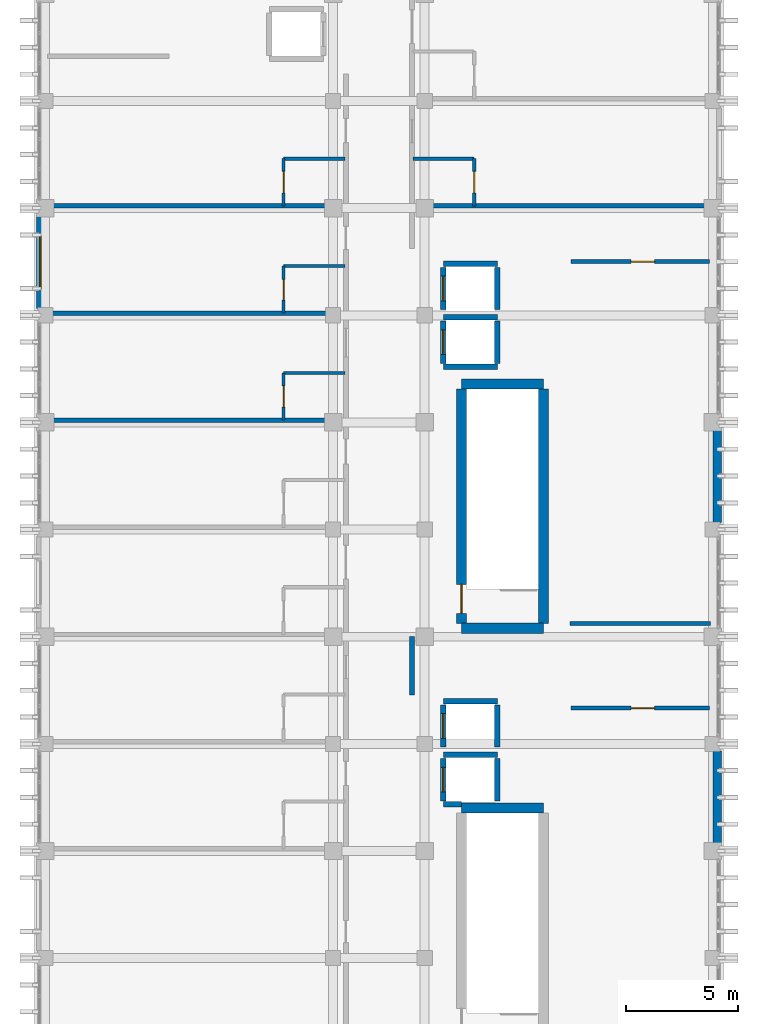
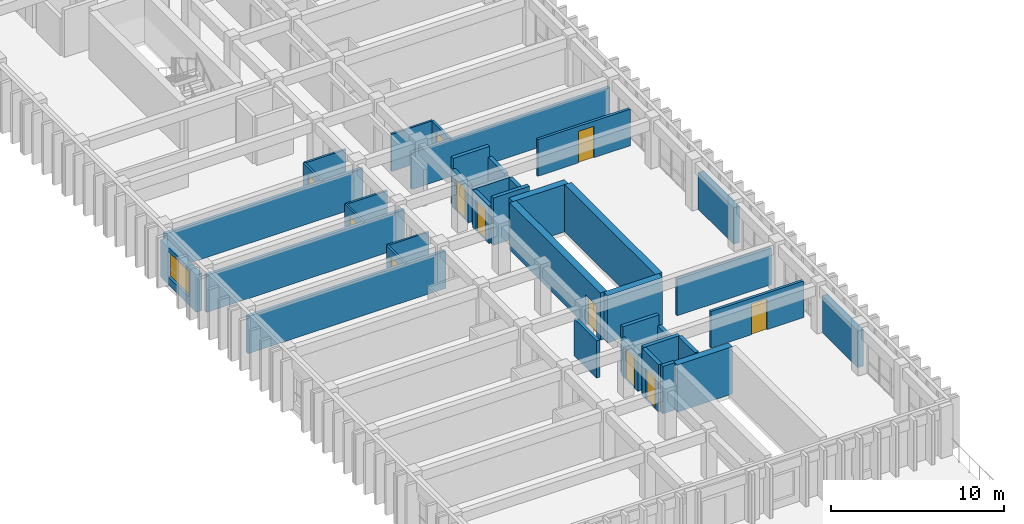
# One storey, part 56 of 68: 38 walls, 11 doors, 1 window, 12 openings.
"""IFC4 building model written with IfcOpenShell, lengths in metres."""

from ifc_helpers import new_model, si_unit, direction, frame, frame_2d, origin, place, context, subcontext, project, spatial, rectangle, extrude, material, layer, layer_set, type_object, element, fill, save


model = new_model("IFC4")

# Units and contexts
model_context = context("Model", 3, precision=1e-05, world=origin(), true_north=direction((0.0, 1.0)))
body_context = subcontext(model_context, "Body", "Model", "MODEL_VIEW")
ifc_project = project(units=[si_unit("LENGTHUNIT", "METRE"), si_unit("AREAUNIT", "SQUARE_METRE"), si_unit("VOLUMEUNIT", "CUBIC_METRE"), si_unit("PLANEANGLEUNIT", "RADIAN"), si_unit("MASSUNIT", "GRAM", prefix="KILO")], contexts=[model_context])

# Site, building, storey
site_placement = place(None, origin())
site = spatial("IfcSite", under=ifc_project, at=site_placement, CompositionType="ELEMENT")
building_placement = place(site_placement, origin())
building = spatial("IfcBuilding", under=site, at=building_placement, Name="Nakhvara Creek Congress Hotel", CompositionType="ELEMENT")
storey_placement = place(building_placement, frame((0.0, 0.0, 24.60009765625)))
storey = spatial("IfcBuildingStorey", under=building, at=storey_placement, Name="L05", CompositionType="ELEMENT", Elevation=24.60009765625)

# Walls
ifc_material_1 = material(Name="Concrete C50/60", Category="concrete")
ifc_layer_1 = layer(ifc_material_1, 0.449951171875)
ifc_layer_set_1 = layer_set([ifc_layer_1], Name="Concrete C50/60")
wall_type_1 = type_object("IfcWallType", Name="W-CORE-450", PredefinedType="SHEAR", material=ifc_layer_set_1)
for number, where, z_axis, x_axis, name in (
    (1, (168.10009765625, 40.320068359375, 0.0), (0.0, 0.0, 1.0), (1.0, 0.0, 0.0), "Core Shear Wall WS02-CWALL-L05-0611"),
    (2, (168.10009765625, 48.3798828125, 0.0), (0.0, 0.0, 1.0), (1.0, 0.0, 0.0), "Core Shear Wall WS02-CWALL-L05-0698"),
    (3, (168.10009765625, 59.320068359375, 0.0), (0.0, 0.0, 1.0), (1.0, 0.0, 0.0), "Core Shear Wall WS02-CWALL-L05-0699"),
):
    element("IfcWall", number, at=place(storey_placement, frame(where, z_axis=z_axis, x_axis=x_axis)), inside=storey, type_object=wall_type_1, Name=name, PredefinedType="SHEAR", context=body_context, shape_type="SweptSolid", body=[
        extrude(rectangle(XDim=3.669921875, YDim=0.449951171875, at=frame_2d((1.8349609375, 0.0))), origin(), (0.0, 0.0, 1.0), 3.33984375),
    ])

# Wall, opening, door
wall_1_placement = place(storey_placement, frame((168.10009765625, 48.60009765625, 0.0), z_axis=(0.0, 0.0, 1.0), x_axis=(0.0, 1.0, 0.0)))
wall_1 = element("IfcWall", 4, at=wall_1_placement, inside=storey, type_object=wall_type_1, Name="Core Shear Wall WS02-CWALL-L05-0700", PredefinedType="SHEAR", context=body_context, shape_type="SweptSolid", body=[
    extrude(rectangle(XDim=10.5, YDim=0.449951171875, at=frame_2d((5.25, 0.0))), origin(), (0.0, 0.0, 1.0), 3.33984375),
])
opening_1_placement = place(wall_1_placement, frame((0.449951171875, 0.0, 0.0)))
opening_1 = element("IfcOpeningElement", 5, at=opening_1_placement, cuts=wall_1, Name="Opening FD04", PredefinedType="OPENING", context=body_context, shape_type="SweptSolid", body=[
    extrude(rectangle(XDim=1.300048828125, YDim=2.14990234375, at=frame_2d((0.64990234375, 1.074951171875))), frame((0.0, 0.23681640625, 0.0), z_axis=(0.0, -1.0, 0.0), x_axis=(1.0, 0.0, 0.0)), (0.0, 0.0, 1.0), 0.473876953125),
])
ifc_material_2 = material(Name="Powder-coated steel fire door", Category="steel")
door_type_1 = type_object("IfcDoorType", Name="DT-STAIR-130", OperationType="NOTDEFINED", PredefinedType="DOOR", material=ifc_material_2)
door_1_placement = place(opening_1_placement, origin())
door_1 = element("IfcDoor", 6, at=door_1_placement, inside=storey, type_object=door_type_1, Name="Stair Exit Door ST04-L05", OperationType="SINGLE_SWING_RIGHT", OverallHeight=2.14990234375, OverallWidth=1.300048828125, PredefinedType="DOOR", context=body_context, shape_type="SweptSolid", body=[
    extrude(rectangle(XDim=1.300048828125, YDim=2.14990234375, at=frame_2d((0.64990234375, 1.074951171875))), frame((0.0, 0.02490234375, 0.0), z_axis=(0.0, -1.0, 0.0), x_axis=(1.0, 0.0, 0.0)), (0.0, 0.0, 1.0), 0.050048828125),
])
fill(opening_1, door_1)

# Walls
wall_2_placement = place(storey_placement, frame((171.77001953125, 48.60009765625, 0.0), z_axis=(0.0, 0.0, 1.0), x_axis=(0.0, 1.0, 0.0)))
element("IfcWall", 7, at=wall_2_placement, inside=storey, type_object=wall_type_1, Name="Core Shear Wall WS02-CWALL-L05-0701", PredefinedType="SHEAR", context=body_context, shape_type="SweptSolid", body=[
    extrude(rectangle(XDim=10.5, YDim=0.449951171875, at=frame_2d((5.25, 0.0))), origin(), (0.0, 0.0, 1.0), 3.33984375),
])
ifc_material_3 = material(Name="Gypsum acoustic board on steel stud", Category="steel")
ifc_layer_2 = layer(ifc_material_3, 0.219970703125)
ifc_layer_set_2 = layer_set([ifc_layer_2], Name="Gypsum acoustic board on steel stud")
wall_type_2 = type_object("IfcWallType", Name="W-CORR-220", PredefinedType="PARTITIONING", material=ifc_layer_set_2)
wall_3_placement = place(storey_placement, frame((165.8798828125, 45.39990234375, 0.0), z_axis=(0.0, 0.0, 1.0), x_axis=(0.0, 1.0, 0.0)))
element("IfcWall", 8, at=wall_3_placement, inside=storey, type_object=wall_type_2, Name="Interior Wall WP11-IW-L05-0370", PredefinedType="PARTITIONING", context=body_context, shape_type="SweptSolid", body=[
    extrude(rectangle(XDim=2.60009765625, YDim=0.219970703125, at=frame_2d((1.300048828125, 0.0))), origin(), (0.0, 0.0, 1.0), 2.6318359375),
])

# Wall, opening, door
ifc_material_4 = material(Name="Moisture-resistant gypsum board partition")
ifc_layer_3 = layer(ifc_material_4, 0.139892578125)
ifc_layer_set_3 = layer_set([ifc_layer_3], Name="Moisture-resistant gypsum board partition")
wall_type_3 = type_object("IfcWallType", Name="W-ENS-140", PredefinedType="PARTITIONING", material=ifc_layer_set_3)
wall_4_placement = place(storey_placement, frame((160.1298828125, 57.699951171875, 0.0), z_axis=(0.0, 0.0, 1.0), x_axis=(0.0, 1.0, 0.0)))
wall_4 = element("IfcWall", 9, at=wall_4_placement, inside=storey, type_object=wall_type_3, Name="Interior Wall WP15-IW-L05-0395", PredefinedType="PARTITIONING", context=body_context, shape_type="SweptSolid", body=[
    extrude(rectangle(XDim=2.115966796875, YDim=0.139892578125, at=frame_2d((1.05810546875, 0.0))), origin(), (0.0, 0.0, 1.0), 2.6318359375),
])
opening_2_placement = place(wall_4_placement, frame((0.5830078125, 0.0, 0.0)))
opening_2 = element("IfcOpeningElement", 10, at=opening_2_placement, cuts=wall_4, Name="Opening ID02", PredefinedType="OPENING", context=body_context, shape_type="SweptSolid", body=[
    extrude(rectangle(XDim=0.9599609375, YDim=2.1201171875, at=frame_2d((0.47998046875, 1.06005859375))), frame((0.0, 0.08203125, 0.0), z_axis=(0.0, -1.0, 0.0), x_axis=(1.0, 0.0, 0.0)), (0.0, 0.0, 1.0), 0.163818359375),
])
ifc_material_5 = material(Name="Moisture-resistant walnut timber door", Category="wood")
door_type_2 = type_object("IfcDoorType", Name="DT-ENS-096", OperationType="NOTDEFINED", PredefinedType="DOOR", material=ifc_material_5)
door_2_placement = place(opening_2_placement, origin())
door_2 = element("IfcDoor", 11, at=door_2_placement, inside=storey, type_object=door_type_2, Name="Interior Door ID02-0317", OperationType="SINGLE_SWING_RIGHT", OverallHeight=2.1201171875, OverallWidth=0.9599609375, PredefinedType="DOOR", context=body_context, shape_type="SweptSolid", body=[
    extrude(rectangle(XDim=0.9599609375, YDim=2.1201171875, at=frame_2d((0.47998046875, 1.06005859375))), frame((0.0, 0.02490234375, 0.0), z_axis=(0.0, -1.0, 0.0), x_axis=(1.0, 0.0, 0.0)), (0.0, 0.0, 1.0), 0.050048828125),
])
fill(opening_2, door_2)

# Wall
wall_5_placement = place(storey_placement, frame((160.1298828125, 59.81591796875, 0.0), z_axis=(0.0, 0.0, 1.0), x_axis=(1.0, 0.0, 0.0)))
element("IfcWall", 12, at=wall_5_placement, inside=storey, type_object=wall_type_3, Name="Interior Wall WP15-IW-L05-0396", PredefinedType="PARTITIONING", context=body_context, shape_type="SweptSolid", body=[
    extrude(rectangle(XDim=2.75, YDim=0.139892578125, at=frame_2d((1.375, 0.0))), origin(), (0.0, 0.0, 1.0), 2.6318359375),
])

# Wall, opening, door
wall_6_placement = place(storey_placement, frame((160.1298828125, 62.5, 0.0), z_axis=(0.0, 0.0, 1.0), x_axis=(0.0, 1.0, 0.0)))
wall_6 = element("IfcWall", 13, at=wall_6_placement, inside=storey, type_object=wall_type_3, Name="Interior Wall WP15-IW-L05-0398", PredefinedType="PARTITIONING", context=body_context, shape_type="SweptSolid", body=[
    extrude(rectangle(XDim=2.115966796875, YDim=0.139892578125, at=frame_2d((1.05810546875, 0.0))), origin(), (0.0, 0.0, 1.0), 2.6318359375),
])
opening_3_placement = place(wall_6_placement, frame((0.5830078125, 0.0, 0.0)))
opening_3 = element("IfcOpeningElement", 14, at=opening_3_placement, cuts=wall_6, Name="Opening ID01", PredefinedType="OPENING", context=body_context, shape_type="SweptSolid", body=[
    extrude(rectangle(XDim=0.919921875, YDim=2.10009765625, at=frame_2d((0.4599609375, 1.050048828125))), frame((0.0, 0.08203125, 0.0), z_axis=(0.0, -1.0, 0.0), x_axis=(1.0, 0.0, 0.0)), (0.0, 0.0, 1.0), 0.163818359375),
])
door_type_3 = type_object("IfcDoorType", Name="DT-ENS-092", OperationType="NOTDEFINED", PredefinedType="DOOR", material=ifc_material_5)
door_3_placement = place(opening_3_placement, origin())
door_3 = element("IfcDoor", 15, at=door_3_placement, inside=storey, type_object=door_type_3, Name="Interior Door ID01-0319", OperationType="SINGLE_SWING_RIGHT", OverallHeight=2.10009765625, OverallWidth=0.919921875, PredefinedType="DOOR", context=body_context, shape_type="SweptSolid", body=[
    extrude(rectangle(XDim=0.919921875, YDim=2.10009765625, at=frame_2d((0.4599609375, 1.050048828125))), frame((0.0, 0.02490234375, 0.0), z_axis=(0.0, -1.0, 0.0), x_axis=(1.0, 0.0, 0.0)), (0.0, 0.0, 1.0), 0.050048828125),
])
fill(opening_3, door_3)

# Wall
wall_7_placement = place(storey_placement, frame((160.1298828125, 64.615966796875, 0.0), z_axis=(0.0, 0.0, 1.0), x_axis=(1.0, 0.0, 0.0)))
element("IfcWall", 16, at=wall_7_placement, inside=storey, type_object=wall_type_3, Name="Interior Wall WP15-IW-L05-0399", PredefinedType="PARTITIONING", context=body_context, shape_type="SweptSolid", body=[
    extrude(rectangle(XDim=2.75, YDim=0.139892578125, at=frame_2d((1.375, 0.0))), origin(), (0.0, 0.0, 1.0), 2.6318359375),
])

# Wall, opening, door
wall_8_placement = place(storey_placement, frame((160.1298828125, 67.300048828125, 0.0), z_axis=(0.0, 0.0, 1.0), x_axis=(0.0, 1.0, 0.0)))
wall_8 = element("IfcWall", 17, at=wall_8_placement, inside=storey, type_object=wall_type_3, Name="Interior Wall WP15-IW-L05-0401", PredefinedType="PARTITIONING", context=body_context, shape_type="SweptSolid", body=[
    extrude(rectangle(XDim=2.115966796875, YDim=0.139892578125, at=frame_2d((1.05810546875, 0.0))), origin(), (0.0, 0.0, 1.0), 2.6318359375),
])
opening_4_placement = place(wall_8_placement, frame((0.5830078125, 0.0, 0.0)))
opening_4 = element("IfcOpeningElement", 18, at=opening_4_placement, cuts=wall_8, Name="Opening ID02", PredefinedType="OPENING", context=body_context, shape_type="SweptSolid", body=[
    extrude(rectangle(XDim=0.9599609375, YDim=2.1201171875, at=frame_2d((0.47998046875, 1.06005859375))), frame((0.0, 0.08203125, 0.0), z_axis=(0.0, -1.0, 0.0), x_axis=(1.0, 0.0, 0.0)), (0.0, 0.0, 1.0), 0.163818359375),
])
door_4_placement = place(opening_4_placement, origin())
door_4 = element("IfcDoor", 19, at=door_4_placement, inside=storey, type_object=door_type_2, Name="Interior Door ID02-0321", OperationType="SINGLE_SWING_RIGHT", OverallHeight=2.1201171875, OverallWidth=0.9599609375, PredefinedType="DOOR", context=body_context, shape_type="SweptSolid", body=[
    extrude(rectangle(XDim=0.9599609375, YDim=2.1201171875, at=frame_2d((0.47998046875, 1.06005859375))), frame((0.0, 0.02490234375, 0.0), z_axis=(0.0, -1.0, 0.0), x_axis=(1.0, 0.0, 0.0)), (0.0, 0.0, 1.0), 0.050048828125),
])
fill(opening_4, door_4)

# Wall
wall_9_placement = place(storey_placement, frame((160.1298828125, 69.416015625, 0.0), z_axis=(0.0, 0.0, 1.0), x_axis=(1.0, 0.0, 0.0)))
element("IfcWall", 20, at=wall_9_placement, inside=storey, type_object=wall_type_3, Name="Interior Wall WP15-IW-L05-0402", PredefinedType="PARTITIONING", context=body_context, shape_type="SweptSolid", body=[
    extrude(rectangle(XDim=2.75, YDim=0.139892578125, at=frame_2d((1.375, 0.0))), origin(), (0.0, 0.0, 1.0), 2.6318359375),
])

# Wall, opening, door
wall_10_placement = place(storey_placement, frame((168.669921875, 67.300048828125, 0.0), z_axis=(0.0, 0.0, 1.0), x_axis=(0.0, 1.0, 0.0)))
wall_10 = element("IfcWall", 21, at=wall_10_placement, inside=storey, type_object=wall_type_3, Name="Interior Wall WP15-IW-L05-0404", PredefinedType="PARTITIONING", context=body_context, shape_type="SweptSolid", body=[
    extrude(rectangle(XDim=2.115966796875, YDim=0.139892578125, at=frame_2d((1.05810546875, 0.0))), origin(), (0.0, 0.0, 1.0), 2.6318359375),
])
opening_5_placement = place(wall_10_placement, frame((0.5830078125, 0.0, 0.0)))
opening_5 = element("IfcOpeningElement", 22, at=opening_5_placement, cuts=wall_10, Name="Opening ID02", PredefinedType="OPENING", context=body_context, shape_type="SweptSolid", body=[
    extrude(rectangle(XDim=0.9599609375, YDim=2.1201171875, at=frame_2d((0.47998046875, 1.06005859375))), frame((0.0, 0.08203125, 0.0), z_axis=(0.0, -1.0, 0.0), x_axis=(1.0, 0.0, 0.0)), (0.0, 0.0, 1.0), 0.163818359375),
])
door_5_placement = place(opening_5_placement, frame((0.9599609375, 0.0, 0.0), z_axis=(0.0, 0.0, 1.0), x_axis=(-1.0, 0.0, 0.0)))
door_5 = element("IfcDoor", 23, at=door_5_placement, inside=storey, type_object=door_type_2, Name="Interior Door ID02-0323", OperationType="SINGLE_SWING_RIGHT", OverallHeight=2.1201171875, OverallWidth=0.9599609375, PredefinedType="DOOR", context=body_context, shape_type="SweptSolid", body=[
    extrude(rectangle(XDim=0.9599609375, YDim=2.1201171875, at=frame_2d((0.47998046875, 1.06005859375))), frame((0.0, 0.02490234375, 0.0), z_axis=(0.0, -1.0, 0.0), x_axis=(1.0, 0.0, 0.0)), (0.0, 0.0, 1.0), 0.050048828125),
])
fill(opening_5, door_5)

# Walls
wall_11_placement = place(storey_placement, frame((165.919921875, 69.416015625, 0.0), z_axis=(0.0, 0.0, 1.0), x_axis=(1.0, 0.0, 0.0)))
element("IfcWall", 24, at=wall_11_placement, inside=storey, type_object=wall_type_3, Name="Interior Wall WP15-IW-L05-0405", PredefinedType="PARTITIONING", context=body_context, shape_type="SweptSolid", body=[
    extrude(rectangle(XDim=2.75, YDim=0.139892578125, at=frame_2d((1.375, 0.0))), origin(), (0.0, 0.0, 1.0), 2.6318359375),
])
ifc_material_6 = material(Name="Honed pale Omani limestone cladding", Category="masonry")
ifc_layer_4 = layer(ifc_material_6, 0.050048828125)
ifc_material_7 = material(Name="Mineral wool thermal insulation")
ifc_layer_5 = layer(ifc_material_7, 0.110107421875)
ifc_material_8 = material(Name="Precast concrete C40/50", Category="concrete")
ifc_layer_6 = layer(ifc_material_8, 0.219970703125)
ifc_layer_set_4 = layer_set([ifc_layer_4, ifc_layer_5, ifc_layer_6], Name="Precast concrete C40/50")
wall_type_4 = type_object("IfcWallType", Name="W-EXT-380", PredefinedType="SOLIDWALL", material=ifc_layer_set_4)
for number, where, z_axis, x_axis, name in (
    (25, (179.56005859375, 42.885009765625, 0.0), (0.0, 0.0, 1.0), (0.0, -1.0, 0.0), "Exterior Wall WE03-EW-L05-0150"),
    (26, (179.56005859375, 57.235107421875, 0.0), (0.0, 0.0, 1.0), (0.0, -1.0, 0.0), "Exterior Wall WE03-EW-L05-0152"),
):
    element("IfcWall", number, at=place(storey_placement, frame(where, z_axis=z_axis, x_axis=x_axis)), inside=storey, type_object=wall_type_4, Name=name, PredefinedType="SOLIDWALL", context=body_context, shape_type="SweptSolid", body=[
        extrude(rectangle(XDim=4.1201171875, YDim=0.3798828125, at=frame_2d((2.06005859375, 0.0))), origin(), (0.0, 0.0, 1.0), 2.581787109375),
    ])

# Wall, opening, window
wall_12_placement = place(storey_placement, frame((149.239990234375, 62.715087890625, 0.0), z_axis=(0.0, 0.0, 1.0), x_axis=(0.0, 1.0, 0.0)))
wall_12 = element("IfcWall", 27, at=wall_12_placement, inside=storey, type_object=wall_type_4, Name="Exterior Wall WE03-EW-L05-0153", PredefinedType="SOLIDWALL", context=body_context, shape_type="SweptSolid", body=[
    extrude(rectangle(XDim=4.119873046875, YDim=0.3798828125, at=frame_2d((2.06005859375, 0.0))), origin(), (0.0, 0.0, 1.0), 2.6318359375),
])
opening_6_placement = place(wall_12_placement, frame((0.860107421875, 0.0, 0.550048828125)))
opening_6 = element("IfcOpeningElement", 28, at=opening_6_placement, cuts=wall_12, Name="Opening WN0165", PredefinedType="OPENING", context=body_context, shape_type="SweptSolid", body=[
    extrude(rectangle(XDim=2.39990234375, YDim=1.800048828125, at=frame_2d((1.199951171875, 0.89990234375))), frame((0.0, 0.201904296875, 0.0), z_axis=(0.0, -1.0, 0.0), x_axis=(1.0, 0.0, 0.0)), (0.0, 0.0, 1.0), 0.40380859375),
])
ifc_material_9 = material(Name="Thermally broken bronze-anodised aluminium and double-silver low-E insulated glass", Category="aluminium")
window_type = type_object("IfcWindowType", Name="WN-LAN-240X240", PartitioningType="SINGLE_PANEL", PredefinedType="WINDOW", material=ifc_material_9)
window_placement = place(opening_6_placement, origin())
window = element("IfcWindow", 29, at=window_placement, inside=storey, type_object=window_type, Name="Facade Window WN0165", OverallHeight=1.800048828125, OverallWidth=2.39990234375, PartitioningType="SINGLE_PANEL", PredefinedType="WINDOW", context=body_context, shape_type="SweptSolid", body=[
    extrude(rectangle(XDim=2.39990234375, YDim=1.800048828125, at=frame_2d((1.199951171875, 0.89990234375))), frame((0.0, 0.030029296875, 0.0), z_axis=(0.0, -1.0, 0.0), x_axis=(1.0, 0.0, 0.0)), (0.0, 0.0, 1.0), 0.06005859375),
])
fill(opening_6, window)

# Wall, opening, door
ifc_layer_7 = layer(ifc_material_3, 0.179931640625)
ifc_layer_set_5 = layer_set([ifc_layer_7], Name="Gypsum acoustic board on steel stud")
wall_type_5 = type_object("IfcWallType", Name="W-MEET-180", PredefinedType="PARTITIONING", material=ifc_layer_set_5)
wall_13_placement = place(storey_placement, frame((173.0, 44.800048828125, 0.0), z_axis=(0.0, 0.0, 1.0), x_axis=(1.0, 0.0, 0.0)))
wall_13 = element("IfcWall", 30, at=wall_13_placement, inside=storey, type_object=wall_type_5, Name="Interior Wall WP13-IW-L05-0379", PredefinedType="PARTITIONING", context=body_context, shape_type="SweptSolid", body=[
    extrude(rectangle(XDim=6.199951171875, YDim=0.179931640625, at=frame_2d((3.10009765625, 0.0))), origin(), (0.0, 0.0, 1.0), 2.581787109375),
])
opening_7_placement = place(wall_13_placement, frame((2.699951171875, 0.0, 0.0)))
opening_7 = element("IfcOpeningElement", 31, at=opening_7_placement, cuts=wall_13, Name="Opening ID04", PredefinedType="OPENING", context=body_context, shape_type="SweptSolid", body=[
    extrude(rectangle(XDim=1.050048828125, YDim=2.179931640625, at=frame_2d((0.52490234375, 1.08984375))), frame((0.0, 0.10205078125, 0.0), z_axis=(0.0, -1.0, 0.0), x_axis=(1.0, 0.0, 0.0)), (0.0, 0.0, 1.0), 0.203857421875),
])
ifc_material_10 = material(Name="Teak timber & frosted glass spa door", Category="wood")
door_type_4 = type_object("IfcDoorType", Name="DT-SPA-105", OperationType="NOTDEFINED", PredefinedType="DOOR", material=ifc_material_10)
door_6_placement = place(opening_7_placement, origin())
door_6 = element("IfcDoor", 32, at=door_6_placement, inside=storey, type_object=door_type_4, Name="Interior Door ID04-0306", OperationType="SINGLE_SWING_LEFT", OverallHeight=2.179931640625, OverallWidth=1.050048828125, PredefinedType="DOOR", context=body_context, shape_type="SweptSolid", body=[
    extrude(rectangle(XDim=1.050048828125, YDim=2.179931640625, at=frame_2d((0.52490234375, 1.08984375))), frame((0.0, 0.02490234375, 0.0), z_axis=(0.0, -1.0, 0.0), x_axis=(1.0, 0.0, 0.0)), (0.0, 0.0, 1.0), 0.050048828125),
])
fill(opening_7, door_6)

# Wall
wall_14_placement = place(storey_placement, frame((172.949951171875, 48.60009765625, 0.0), z_axis=(0.0, 0.0, 1.0), x_axis=(1.0, 0.0, 0.0)))
element("IfcWall", 33, at=wall_14_placement, inside=storey, type_object=wall_type_5, Name="Interior Wall WP13-IW-L05-0380", PredefinedType="PARTITIONING", context=body_context, shape_type="SweptSolid", body=[
    extrude(rectangle(XDim=6.300048828125, YDim=0.179931640625, at=frame_2d((3.14990234375, 0.0))), origin(), (0.0, 0.0, 1.0), 2.581787109375),
])

# Wall, opening, door
wall_15_placement = place(storey_placement, frame((173.0, 64.800048828125, 0.0), z_axis=(0.0, 0.0, 1.0), x_axis=(1.0, 0.0, 0.0)))
wall_15 = element("IfcWall", 34, at=wall_15_placement, inside=storey, type_object=wall_type_5, Name="Interior Wall WP13-IW-L05-0381", PredefinedType="PARTITIONING", context=body_context, shape_type="SweptSolid", body=[
    extrude(rectangle(XDim=6.199951171875, YDim=0.179931640625, at=frame_2d((3.10009765625, 0.0))), origin(), (0.0, 0.0, 1.0), 2.581787109375),
])
opening_8_placement = place(wall_15_placement, frame((2.699951171875, 0.0, 0.0)))
opening_8 = element("IfcOpeningElement", 35, at=opening_8_placement, cuts=wall_15, Name="Opening GD04", PredefinedType="OPENING", context=body_context, shape_type="SweptSolid", body=[
    extrude(rectangle(XDim=1.050048828125, YDim=2.219970703125, at=frame_2d((0.52490234375, 1.10986328125))), frame((0.0, 0.10205078125, 0.0), z_axis=(0.0, -1.0, 0.0), x_axis=(1.0, 0.0, 0.0)), (0.0, 0.0, 1.0), 0.203857421875),
])
ifc_material_11 = material(Name="Walnut hardwood timber fire door", Category="wood")
door_type_5 = type_object("IfcDoorType", Name="DT-GUEST-105", OperationType="NOTDEFINED", PredefinedType="DOOR", material=ifc_material_11)
door_7_placement = place(opening_8_placement, origin())
door_7 = element("IfcDoor", 36, at=door_7_placement, inside=storey, type_object=door_type_5, Name="Interior Door GD04-0307", OperationType="SINGLE_SWING_RIGHT", OverallHeight=2.219970703125, OverallWidth=1.050048828125, PredefinedType="DOOR", context=body_context, shape_type="SweptSolid", body=[
    extrude(rectangle(XDim=1.050048828125, YDim=2.219970703125, at=frame_2d((0.52490234375, 1.10986328125))), frame((0.0, 0.02490234375, 0.0), z_axis=(0.0, -1.0, 0.0), x_axis=(1.0, 0.0, 0.0)), (0.0, 0.0, 1.0), 0.050048828125),
])
fill(opening_8, door_7)

# Walls
ifc_layer_8 = layer(ifc_material_3, 0.199951171875)
ifc_layer_set_6 = layer_set([ifc_layer_8], Name="Gypsum acoustic board on steel stud")
wall_type_6 = type_object("IfcWallType", Name="W-PART-200", PredefinedType="PARTITIONING", material=ifc_layer_set_6)
for number, where, z_axis, x_axis, name in (
    (37, (149.550048828125, 57.699951171875, 0.0), (0.0, 0.0, 1.0), (1.0, 0.0, 0.0), "Interior Wall WP12-IW-L05-0394"),
    (38, (149.550048828125, 62.5, 0.0), (0.0, 0.0, 1.0), (1.0, 0.0, 0.0), "Interior Wall WP12-IW-L05-0397"),
    (39, (149.550048828125, 67.300048828125, 0.0), (0.0, 0.0, 1.0), (1.0, 0.0, 0.0), "Interior Wall WP12-IW-L05-0400"),
):
    element("IfcWall", number, at=place(storey_placement, frame(where, z_axis=z_axis, x_axis=x_axis)), inside=storey, type_object=wall_type_6, Name=name, PredefinedType="PARTITIONING", context=body_context, shape_type="SweptSolid", body=[
        extrude(rectangle(XDim=13.22998046875, YDim=0.199951171875, at=frame_2d((6.614990234375, 0.0))), origin(), (0.0, 0.0, 1.0), 2.6318359375),
    ])
wall_16_placement = place(storey_placement, frame((166.02001953125, 67.300048828125, 0.0), z_axis=(0.0, 0.0, 1.0), x_axis=(1.0, 0.0, 0.0)))
element("IfcWall", 40, at=wall_16_placement, inside=storey, type_object=wall_type_6, Name="Interior Wall WP12-IW-L05-0403", PredefinedType="PARTITIONING", context=body_context, shape_type="SweptSolid", body=[
    extrude(rectangle(XDim=13.22998046875, YDim=0.199951171875, at=frame_2d((6.614990234375, 0.0))), origin(), (0.0, 0.0, 1.0), 2.581787109375),
])
ifc_material_12 = material(Name="Concrete C40/50", Category="concrete")
ifc_layer_9 = layer(ifc_material_12, 0.25)
ifc_layer_set_7 = layer_set([ifc_layer_9], Name="Concrete C40/50")
wall_type_7 = type_object("IfcWallType", Name="W-SHAFT-250", PredefinedType="SOLIDWALL", material=ifc_layer_set_7)
wall_17_placement = place(storey_placement, frame((167.2900390625, 40.489990234375, 0.0), z_axis=(0.0, 0.0, 1.0), x_axis=(1.0, 0.0, 0.0)))
element("IfcWall", 41, at=wall_17_placement, inside=storey, type_object=wall_type_7, Name="Core Shear Wall WI02-CWALL-L05-0614", PredefinedType="SOLIDWALL", context=body_context, shape_type="SweptSolid", body=[
    extrude(rectangle(XDim=0.800048828125, YDim=0.25, at=frame_2d((0.39990234375, 0.0))), origin(), (0.0, 0.0, 1.0), 3.33984375),
])
wall_18_placement = place(storey_placement, frame((167.2900390625, 42.7099609375, 0.0), z_axis=(0.0, 0.0, 1.0), x_axis=(1.0, 0.0, 0.0)))
element("IfcWall", 42, at=wall_18_placement, inside=storey, type_object=wall_type_7, Name="Core Shear Wall WI02-CWALL-L05-0615", PredefinedType="SOLIDWALL", context=body_context, shape_type="SweptSolid", body=[
    extrude(rectangle(XDim=2.419921875, YDim=0.25, at=frame_2d((1.2099609375, 0.0))), origin(), (0.0, 0.0, 1.0), 3.33984375),
])

# Wall, opening, door
wall_19_placement = place(storey_placement, frame((167.2900390625, 40.64990234375, 0.0), z_axis=(0.0, 0.0, 1.0), x_axis=(0.0, 1.0, 0.0)))
wall_19 = element("IfcWall", 43, at=wall_19_placement, inside=storey, type_object=wall_type_7, Name="Core Shear Wall WI02-CWALL-L05-0616", PredefinedType="SOLIDWALL", context=body_context, shape_type="SweptSolid", body=[
    extrude(rectangle(XDim=1.900146484375, YDim=0.25, at=frame_2d((0.9501953125, 0.0))), origin(), (0.0, 0.0, 1.0), 3.33984375),
])
opening_9_placement = place(wall_19_placement, frame((0.39990234375, 0.0, 0.0)))
opening_9 = element("IfcOpeningElement", 44, at=opening_9_placement, cuts=wall_19, Name="Opening LD01", PredefinedType="OPENING", context=body_context, shape_type="SweptSolid", body=[
    extrude(rectangle(XDim=1.10009765625, YDim=2.199951171875, at=frame_2d((0.550048828125, 1.10009765625))), frame((0.0, 0.136962890625, 0.0), z_axis=(0.0, -1.0, 0.0), x_axis=(1.0, 0.0, 0.0)), (0.0, 0.0, 1.0), 0.27392578125),
])
ifc_material_13 = material(Name="Brushed stainless steel sliding landing door", Category="steel")
door_type_6 = type_object("IfcDoorType", Name="DT-LIFT-110", OperationType="DOUBLE_DOOR_SLIDING", PredefinedType="DOOR", material=ifc_material_13)
door_8_placement = place(opening_9_placement, origin())
door_8 = element("IfcDoor", 45, at=door_8_placement, inside=storey, type_object=door_type_6, Name="Landing Door PL03-L05", OperationType="SLIDING_TO_LEFT", OverallHeight=2.199951171875, OverallWidth=1.10009765625, PredefinedType="DOOR", context=body_context, shape_type="SweptSolid", body=[
    extrude(rectangle(XDim=1.10009765625, YDim=2.199951171875, at=frame_2d((0.550048828125, 1.10009765625))), frame((0.0, 0.02490234375, 0.0), z_axis=(0.0, -1.0, 0.0), x_axis=(1.0, 0.0, 0.0)), (0.0, 0.0, 1.0), 0.050048828125),
])
fill(opening_9, door_8)

# Walls
wall_20_placement = place(storey_placement, frame((169.7099609375, 40.64990234375, 0.0), z_axis=(0.0, 0.0, 1.0), x_axis=(0.0, 1.0, 0.0)))
element("IfcWall", 46, at=wall_20_placement, inside=storey, type_object=wall_type_7, Name="Core Shear Wall WI02-CWALL-L05-0617", PredefinedType="SOLIDWALL", context=body_context, shape_type="SweptSolid", body=[
    extrude(rectangle(XDim=1.900146484375, YDim=0.25, at=frame_2d((0.9501953125, 0.0))), origin(), (0.0, 0.0, 1.0), 3.33984375),
])
wall_21_placement = place(storey_placement, frame((167.2900390625, 45.110107421875, 0.0), z_axis=(0.0, 0.0, 1.0), x_axis=(1.0, 0.0, 0.0)))
element("IfcWall", 47, at=wall_21_placement, inside=storey, type_object=wall_type_7, Name="Core Shear Wall WI02-CWALL-L05-0618", PredefinedType="SOLIDWALL", context=body_context, shape_type="SweptSolid", body=[
    extrude(rectangle(XDim=2.419921875, YDim=0.25, at=frame_2d((1.2099609375, 0.0))), origin(), (0.0, 0.0, 1.0), 3.33984375),
])

# Wall, opening, door
wall_22_placement = place(storey_placement, frame((167.2900390625, 43.050048828125, 0.0), z_axis=(0.0, 0.0, 1.0), x_axis=(0.0, 1.0, 0.0)))
wall_22 = element("IfcWall", 48, at=wall_22_placement, inside=storey, type_object=wall_type_7, Name="Core Shear Wall WI02-CWALL-L05-0619", PredefinedType="SOLIDWALL", context=body_context, shape_type="SweptSolid", body=[
    extrude(rectangle(XDim=1.89990234375, YDim=0.25, at=frame_2d((0.949951171875, 0.0))), origin(), (0.0, 0.0, 1.0), 2.6318359375),
])
opening_10_placement = place(wall_22_placement, frame((0.39990234375, 0.0, 0.0)))
opening_10 = element("IfcOpeningElement", 49, at=opening_10_placement, cuts=wall_22, Name="Opening LD01", PredefinedType="OPENING", context=body_context, shape_type="SweptSolid", body=[
    extrude(rectangle(XDim=1.10009765625, YDim=2.199951171875, at=frame_2d((0.550048828125, 1.10009765625))), frame((0.0, 0.136962890625, 0.0), z_axis=(0.0, -1.0, 0.0), x_axis=(1.0, 0.0, 0.0)), (0.0, 0.0, 1.0), 0.27392578125),
])
door_9_placement = place(opening_10_placement, origin())
door_9 = element("IfcDoor", 50, at=door_9_placement, inside=storey, type_object=door_type_6, Name="Landing Door PL04-L05", OperationType="SLIDING_TO_LEFT", OverallHeight=2.199951171875, OverallWidth=1.10009765625, PredefinedType="DOOR", context=body_context, shape_type="SweptSolid", body=[
    extrude(rectangle(XDim=1.10009765625, YDim=2.199951171875, at=frame_2d((0.550048828125, 1.10009765625))), frame((0.0, 0.02490234375, 0.0), z_axis=(0.0, -1.0, 0.0), x_axis=(1.0, 0.0, 0.0)), (0.0, 0.0, 1.0), 0.050048828125),
])
fill(opening_10, door_9)

# Walls
wall_23_placement = place(storey_placement, frame((169.7099609375, 43.050048828125, 0.0), z_axis=(0.0, 0.0, 1.0), x_axis=(0.0, 1.0, 0.0)))
element("IfcWall", 51, at=wall_23_placement, inside=storey, type_object=wall_type_7, Name="Core Shear Wall WI02-CWALL-L05-0620", PredefinedType="SOLIDWALL", context=body_context, shape_type="SweptSolid", body=[
    extrude(rectangle(XDim=1.89990234375, YDim=0.25, at=frame_2d((0.949951171875, 0.0))), origin(), (0.0, 0.0, 1.0), 2.6318359375),
])
wall_24_placement = place(storey_placement, frame((167.2900390625, 60.090087890625, 0.0), z_axis=(0.0, 0.0, 1.0), x_axis=(1.0, 0.0, 0.0)))
element("IfcWall", 52, at=wall_24_placement, inside=storey, type_object=wall_type_7, Name="Core Shear Wall WI02-CWALL-L05-0702", PredefinedType="SOLIDWALL", context=body_context, shape_type="SweptSolid", body=[
    extrude(rectangle(XDim=2.419921875, YDim=0.25, at=frame_2d((1.2099609375, 0.0))), origin(), (0.0, 0.0, 1.0), 3.33984375),
])
wall_25_placement = place(storey_placement, frame((167.2900390625, 62.31005859375, 0.0), z_axis=(0.0, 0.0, 1.0), x_axis=(1.0, 0.0, 0.0)))
element("IfcWall", 53, at=wall_25_placement, inside=storey, type_object=wall_type_7, Name="Core Shear Wall WI02-CWALL-L05-0703", PredefinedType="SOLIDWALL", context=body_context, shape_type="SweptSolid", body=[
    extrude(rectangle(XDim=2.419921875, YDim=0.25, at=frame_2d((1.2099609375, 0.0))), origin(), (0.0, 0.0, 1.0), 2.6318359375),
])

# Wall, opening, door
wall_26_placement = place(storey_placement, frame((167.2900390625, 60.25, 0.0), z_axis=(0.0, 0.0, 1.0), x_axis=(0.0, 1.0, 0.0)))
wall_26 = element("IfcWall", 54, at=wall_26_placement, inside=storey, type_object=wall_type_7, Name="Core Shear Wall WI02-CWALL-L05-0704", PredefinedType="SOLIDWALL", context=body_context, shape_type="SweptSolid", body=[
    extrude(rectangle(XDim=1.89990234375, YDim=0.25, at=frame_2d((0.949951171875, 0.0))), origin(), (0.0, 0.0, 1.0), 2.6318359375),
])
opening_11_placement = place(wall_26_placement, frame((0.39990234375, 0.0, 0.0)))
opening_11 = element("IfcOpeningElement", 55, at=opening_11_placement, cuts=wall_26, Name="Opening LD01", PredefinedType="OPENING", context=body_context, shape_type="SweptSolid", body=[
    extrude(rectangle(XDim=1.10009765625, YDim=2.199951171875, at=frame_2d((0.550048828125, 1.10009765625))), frame((0.0, 0.136962890625, 0.0), z_axis=(0.0, -1.0, 0.0), x_axis=(1.0, 0.0, 0.0)), (0.0, 0.0, 1.0), 0.27392578125),
])
door_10_placement = place(opening_11_placement, origin())
door_10 = element("IfcDoor", 56, at=door_10_placement, inside=storey, type_object=door_type_6, Name="Landing Door PL05-L05", OperationType="SLIDING_TO_LEFT", OverallHeight=2.199951171875, OverallWidth=1.10009765625, PredefinedType="DOOR", context=body_context, shape_type="SweptSolid", body=[
    extrude(rectangle(XDim=1.10009765625, YDim=2.199951171875, at=frame_2d((0.550048828125, 1.10009765625))), frame((0.0, 0.02490234375, 0.0), z_axis=(0.0, -1.0, 0.0), x_axis=(1.0, 0.0, 0.0)), (0.0, 0.0, 1.0), 0.050048828125),
])
fill(opening_11, door_10)

# Walls
wall_27_placement = place(storey_placement, frame((169.7099609375, 60.25, 0.0), z_axis=(0.0, 0.0, 1.0), x_axis=(0.0, 1.0, 0.0)))
element("IfcWall", 57, at=wall_27_placement, inside=storey, type_object=wall_type_7, Name="Core Shear Wall WI02-CWALL-L05-0705", PredefinedType="SOLIDWALL", context=body_context, shape_type="SweptSolid", body=[
    extrude(rectangle(XDim=1.89990234375, YDim=0.25, at=frame_2d((0.949951171875, 0.0))), origin(), (0.0, 0.0, 1.0), 2.6318359375),
])
wall_28_placement = place(storey_placement, frame((167.2900390625, 64.7099609375, 0.0), z_axis=(0.0, 0.0, 1.0), x_axis=(1.0, 0.0, 0.0)))
element("IfcWall", 58, at=wall_28_placement, inside=storey, type_object=wall_type_7, Name="Core Shear Wall WI02-CWALL-L05-0706", PredefinedType="SOLIDWALL", context=body_context, shape_type="SweptSolid", body=[
    extrude(rectangle(XDim=2.419921875, YDim=0.25, at=frame_2d((1.2099609375, 0.0))), origin(), (0.0, 0.0, 1.0), 3.33984375),
])

# Wall, opening, door
wall_29_placement = place(storey_placement, frame((167.2900390625, 62.64990234375, 0.0), z_axis=(0.0, 0.0, 1.0), x_axis=(0.0, 1.0, 0.0)))
wall_29 = element("IfcWall", 59, at=wall_29_placement, inside=storey, type_object=wall_type_7, Name="Core Shear Wall WI02-CWALL-L05-0707", PredefinedType="SOLIDWALL", context=body_context, shape_type="SweptSolid", body=[
    extrude(rectangle(XDim=1.900146484375, YDim=0.25, at=frame_2d((0.9501953125, 0.0))), origin(), (0.0, 0.0, 1.0), 2.6318359375),
])
opening_12_placement = place(wall_29_placement, frame((0.39990234375, 0.0, 0.0)))
opening_12 = element("IfcOpeningElement", 60, at=opening_12_placement, cuts=wall_29, Name="Opening LD01", PredefinedType="OPENING", context=body_context, shape_type="SweptSolid", body=[
    extrude(rectangle(XDim=1.10009765625, YDim=2.199951171875, at=frame_2d((0.550048828125, 1.10009765625))), frame((0.0, 0.136962890625, 0.0), z_axis=(0.0, -1.0, 0.0), x_axis=(1.0, 0.0, 0.0)), (0.0, 0.0, 1.0), 0.27392578125),
])
door_11_placement = place(opening_12_placement, origin())
door_11 = element("IfcDoor", 61, at=door_11_placement, inside=storey, type_object=door_type_6, Name="Landing Door PL06-L05", OperationType="SLIDING_TO_LEFT", OverallHeight=2.199951171875, OverallWidth=1.10009765625, PredefinedType="DOOR", context=body_context, shape_type="SweptSolid", body=[
    extrude(rectangle(XDim=1.10009765625, YDim=2.199951171875, at=frame_2d((0.550048828125, 1.10009765625))), frame((0.0, 0.02490234375, 0.0), z_axis=(0.0, -1.0, 0.0), x_axis=(1.0, 0.0, 0.0)), (0.0, 0.0, 1.0), 0.050048828125),
])
fill(opening_12, door_11)

# Wall
wall_30_placement = place(storey_placement, frame((169.7099609375, 62.64990234375, 0.0), z_axis=(0.0, 0.0, 1.0), x_axis=(0.0, 1.0, 0.0)))
element("IfcWall", 62, at=wall_30_placement, inside=storey, type_object=wall_type_7, Name="Core Shear Wall WI02-CWALL-L05-0708", PredefinedType="SOLIDWALL", context=body_context, shape_type="SweptSolid", body=[
    extrude(rectangle(XDim=1.900146484375, YDim=0.25, at=frame_2d((0.9501953125, 0.0))), origin(), (0.0, 0.0, 1.0), 2.6318359375),
])

save(model, "model.ifc")
